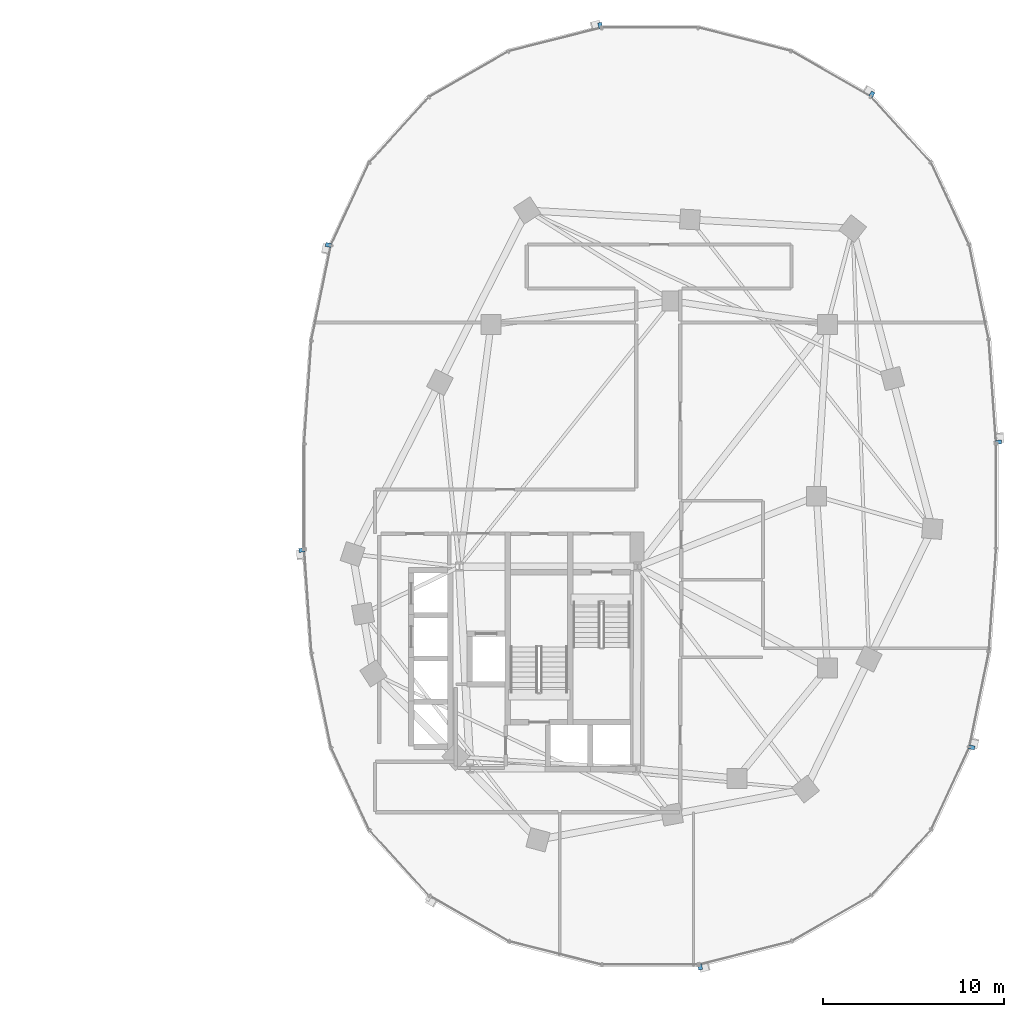
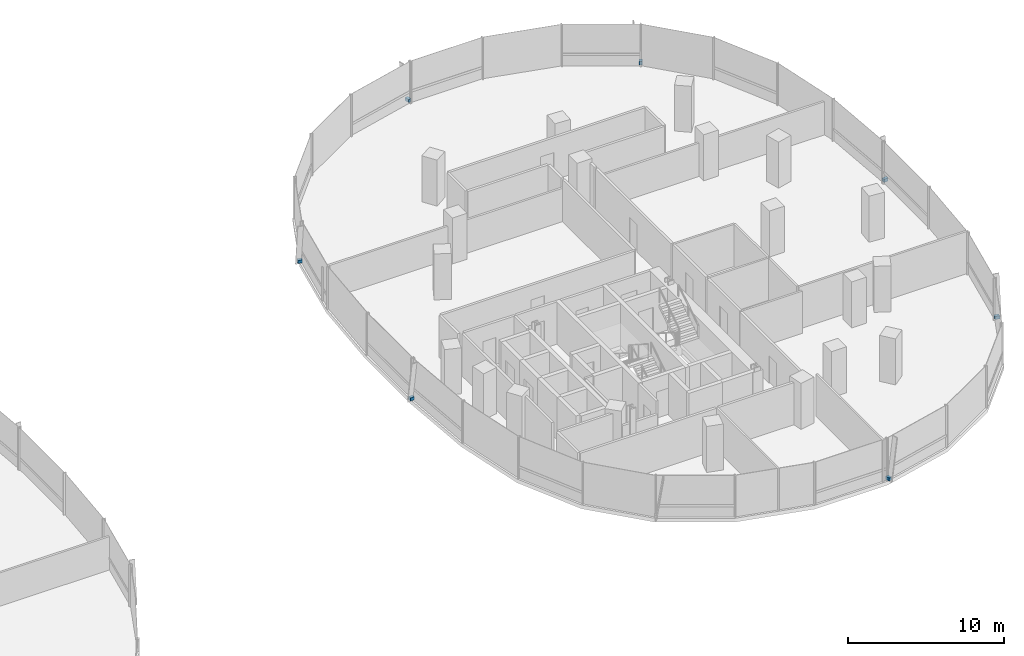
# One storey, part 16 of 21: 7 discrete accessories.
"""IFC4 building model written with IfcOpenShell, lengths in metres."""

from ifc_helpers import new_model, si_unit, direction, frame, origin, origin_2d, place, context, subcontext, project, spatial, rectangle, extrude, material, type_object, element, save


model = new_model("IFC4")

# Units and contexts
model_context = context("Model", 3, precision=1e-05, world=origin(), true_north=direction((0.0, 1.0)))
body_context = subcontext(model_context, "Body", "Model", "MODEL_VIEW")
ifc_project = project(units=[si_unit("LENGTHUNIT", "METRE"), si_unit("AREAUNIT", "SQUARE_METRE"), si_unit("VOLUMEUNIT", "CUBIC_METRE"), si_unit("PLANEANGLEUNIT", "RADIAN"), si_unit("MASSUNIT", "GRAM", prefix="KILO"), si_unit("THERMODYNAMICTEMPERATUREUNIT", "KELVIN"), si_unit("POWERUNIT", "WATT")], contexts=[model_context])

# Site, building, storey
site_placement = place(None, origin())
site = spatial("IfcSite", under=ifc_project, at=site_placement, CompositionType="ELEMENT")
building_placement = place(site_placement, origin())
building = spatial("IfcBuilding", under=site, at=building_placement, Name="Cundina Bronze Exchange", CompositionType="ELEMENT")
storey_placement = place(building_placement, frame((0.0, 0.0, 107.0)))
storey = spatial("IfcBuildingStorey", under=building, at=storey_placement, Name="L27", CompositionType="ELEMENT", Elevation=107.0)

# Discrete accessories
ifc_material = material(Name="Anodised Bronze Aluminium 6063-T6", Category="aluminium")
discrete_accessory_type = type_object("IfcDiscreteAccessoryType", Name="ACC-BRK-FIN", PredefinedType="BRACKET", material=ifc_material)
for number, where, z_axis, x_axis, name in (
    (1, (51.264404296875, 2.986083984375, 0.10009765625), (0.0, 0.0, 1.0), (-0.070278787473, 0.997527389113, 0.0), "L27 Fin Support Bracket 1"),
    (2, (44.259521484375, 22.21875, 0.10009765625), (0.0, 0.0, 1.0), (-0.867105478933, 0.498124571171, 0.0), "L27 Fin Support Bracket 5"),
    (3, (29.23974609375, 26.03173828125, 0.10009765625), (0.0, 0.0, 1.0), (-0.969488149345, -0.245138182011, 0.0), "L27 Fin Support Bracket 1"),
    (4, (14.211669921875, 13.8896484375, 0.10009765625), (0.0, 0.0, 1.0), (-0.201419845156, -0.979505000486, 0.0), "L27 Fin Support Bracket 5"),
    (5, (12.735595703125, -2.986083984375, 0.10009765625), (0.0, 0.0, 1.0), (0.070278787473, -0.997527389113, 0.0), "L27 Fin Support Bracket 1"),
    (6, (34.76025390625, -26.03173828125, 0.10009765625), (0.0, 0.0, 1.0), (0.969488149345, 0.245138182011, 0.0), "L27 Fin Support Bracket 1"),
    (7, (49.788330078125, -13.8896484375, 0.10009765625), (0.0, 0.0, 1.0), (0.201419845156, 0.979505000486, 0.0), "L27 Fin Support Bracket 5"),
):
    element("IfcDiscreteAccessory", number, at=place(storey_placement, frame(where, z_axis=z_axis, x_axis=x_axis)), inside=storey, type_object=discrete_accessory_type, Name=name, PredefinedType="BRACKET", context=body_context, shape_type="SweptSolid", body=[
        extrude(rectangle(XDim=0.219970703125, YDim=0.320068359375, at=origin_2d()), origin(), (0.0, 0.0, 1.0), 0.239990234375),
    ])

save(model, "model.ifc")
